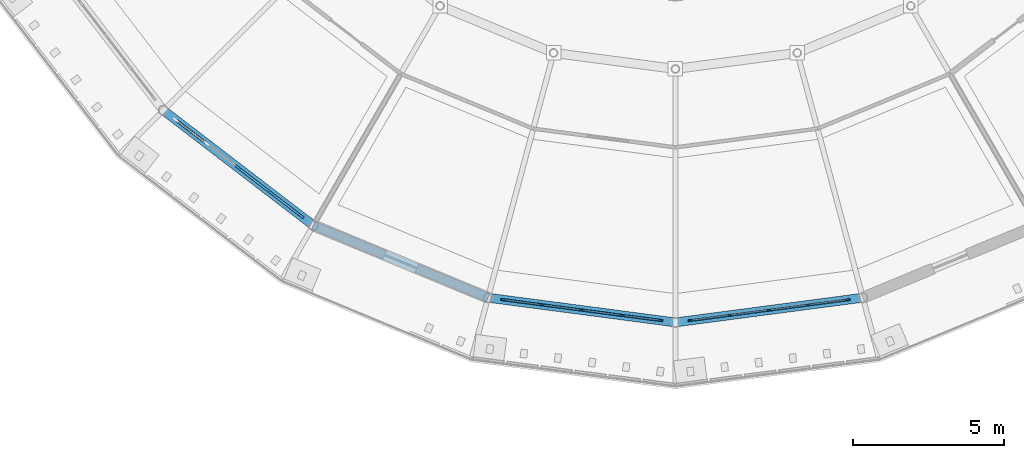
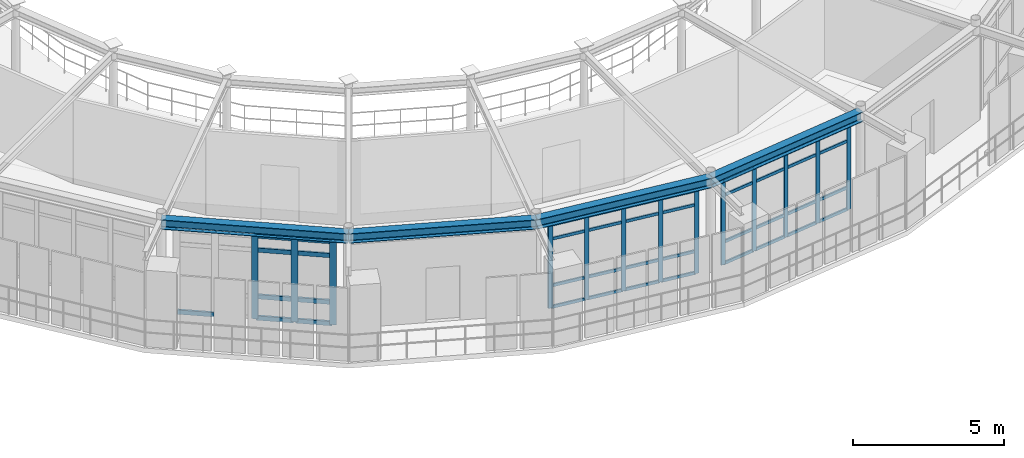
# One storey, part 22 of 70: 54 members, 4 beams, 3 elements without a shape of their own.
"""IFC4 building model written with IfcOpenShell, lengths in metres."""

from ifc_helpers import new_model, si_unit, derived_unit, direction, frame, origin, origin_2d, place, context, subcontext, project, spatial, rectangle, i_section, extrude, material, layer, layer_set, material_profile, profile_set, type_object, element, aggregate, save


model = new_model("IFC4")

# Units and contexts
model_context = context("Model", 3, precision=1e-05, world=origin(), true_north=direction((0.0, 1.0)))
body_context = subcontext(model_context, "Body", "Model", "MODEL_VIEW")
ifc_project = project(units=[si_unit("LENGTHUNIT", "METRE"), si_unit("AREAUNIT", "SQUARE_METRE"), si_unit("VOLUMEUNIT", "CUBIC_METRE"), si_unit("PLANEANGLEUNIT", "RADIAN"), si_unit("MASSUNIT", "GRAM", prefix="KILO"), derived_unit("THERMALTRANSMITTANCEUNIT", [(si_unit("POWERUNIT", "WATT"), 1), (si_unit("AREAUNIT", "SQUARE_METRE"), -1), (si_unit("THERMODYNAMICTEMPERATUREUNIT", "KELVIN"), -1)])], contexts=[model_context])

# Site, building, storey
site_placement = place(None, origin())
site = spatial("IfcSite", under=ifc_project, at=site_placement, CompositionType="ELEMENT")
building_placement = place(site_placement, origin())
building = spatial("IfcBuilding", under=site, at=building_placement, Name="Yasenodar Specialist Clinic", CompositionType="ELEMENT")
storey_placement = place(building_placement, frame((0.0, 0.0, 13.199951171875)))
storey = spatial("IfcBuildingStorey", under=building, at=storey_placement, Name="L03", CompositionType="ELEMENT", Elevation=13.199951171875)

# Beams
ifc_material_1 = material(Name="Steel S355", Category="steel")
ifc_material_profile_1 = material_profile(ifc_material_1, i_section(OverallWidth=0.300048828125, OverallDepth=0.389892578125, WebThickness=0.010986328125, FlangeThickness=0.01904296875, FilletRadius=0.027099609375, at=origin_2d()), Name="HEA 400")
ifc_profile_set_1 = profile_set([ifc_material_profile_1], Name="Steel S355")
beam_type = type_object("IfcBeamType", Name="BM-HEA400", PredefinedType="BEAM", material=ifc_profile_set_1)
beam_1_placement = place(storey_placement, frame((64.029296875, 41.829345703125, 3.60498046875), z_axis=(0.793367971845, -0.608742360322, 0.0), x_axis=(0.608742360322, 0.793367971845, 0.0)))
element("IfcBeam", 1, at=beam_1_placement, inside=storey, type_object=beam_type, Name="L03 Drum V1 Perimeter Ring Beam", PredefinedType="BEAM", context=body_context, shape_type="SweptSolid", body=[
    extrude(i_section(OverallWidth=0.300048828125, OverallDepth=0.389892578125, WebThickness=0.010986328125, FlangeThickness=0.01904296875, FilletRadius=0.027099609375, at=origin_2d()), origin(), (0.0, 0.0, 1.0), 6.265380859375),
])
beam_2_placement = place(storey_placement, frame((69.0, 38.015380859375, 3.60498046875), z_axis=(0.9238876519, -0.382663829839, 0.0), x_axis=(0.382663829839, 0.9238876519, 0.0)))
element("IfcBeam", 2, at=beam_2_placement, inside=storey, type_object=beam_type, Name="L03 Drum V1 Perimeter Ring Beam", PredefinedType="BEAM", context=body_context, shape_type="SweptSolid", body=[
    extrude(i_section(OverallWidth=0.300048828125, OverallDepth=0.389892578125, WebThickness=0.010986328125, FlangeThickness=0.01904296875, FilletRadius=0.027099609375, at=origin_2d()), origin(), (0.0, 0.0, 1.0), 6.26513671875),
])
for number, where, z_axis, x_axis, name in (
    (3, (74.788330078125, 35.617919921875, 3.60498046875), (0.991443018138, -0.130540192224, 0.0), (0.130540192224, 0.991443018138, 0.0), "L03 Drum V1 Perimeter Ring Beam"),
    (4, (81.0, 34.800048828125, 3.60498046875), (0.991443018138, 0.130540192224, 0.0), (-0.130540192224, 0.991443018138, 0.0), "L03 Drum V1 Perimeter Ring Beam"),
):
    element("IfcBeam", number, at=place(storey_placement, frame(where, z_axis=z_axis, x_axis=x_axis)), inside=storey, type_object=beam_type, Name=name, PredefinedType="BEAM", context=body_context, shape_type="SweptSolid", body=[
        extrude(i_section(OverallWidth=0.300048828125, OverallDepth=0.389892578125, WebThickness=0.010986328125, FlangeThickness=0.01904296875, FilletRadius=0.027099609375, at=origin_2d()), origin(), (0.0, 0.0, 1.0), 6.265380859375),
    ])

# Curtain wall, members
ifc_material_2 = material(Name="Bronze Anodized Aluminium and Triple Low-E Glass", Category="aluminium")
ifc_layer = layer(ifc_material_2, 0.1669921875)
ifc_layer_set = layer_set([ifc_layer], Name="Bronze Anodized Aluminium and Triple Low-E Glass")
curtain_wall_type = type_object("IfcCurtainWallType", Name="CW-SYS-01", PredefinedType="USERDEFINED", material=ifc_layer_set)
curtain_wall_1_placement = place(storey_placement, origin())
curtain_wall_1 = element("IfcCurtainWall", 5, at=curtain_wall_1_placement, inside=storey, type_object=curtain_wall_type, Name="L03 Unitised Curtain Wall 051", ObjectType="UNITISED CURTAIN WALL", PredefinedType="USERDEFINED")
ifc_material_3 = material(Name="Bronze Anodized Aluminium", Category="aluminium")
ifc_material_profile_2 = material_profile(ifc_material_3, rectangle(XDim=0.06005859375, YDim=0.159912109375, at=origin_2d()), Name="CW-MULL 60x160")
ifc_profile_set_2 = profile_set([ifc_material_profile_2], Name="Bronze Anodized Aluminium")
member_type_1 = type_object("IfcMemberType", Name="CW-MULL-160", PredefinedType="MULLION", material=ifc_profile_set_2)
member_1_placement = place(storey_placement, frame((80.494384765625, 34.86669921875, 0.0), z_axis=(0.0, 0.0, 1.0), x_axis=(-0.13051156024, -0.991446787601, 0.0)))
member_1 = element("IfcMember", 6, at=member_1_placement, type_object=member_type_1, Name="CW-01 mullion 1", PredefinedType="MULLION", context=body_context, shape_type="SweptSolid", body=[
    extrude(rectangle(XDim=0.06005859375, YDim=0.159912109375, at=origin_2d()), origin(), (0.0, 0.0, 1.0), 3.387939453125),
])
member_2_placement = place(storey_placement, frame((79.209228515625, 35.035888671875, 0.0), z_axis=(0.0, 0.0, 1.0), x_axis=(-0.13051156024, -0.991446787601, 0.0)))
member_2 = element("IfcMember", 7, at=member_2_placement, type_object=member_type_1, Name="CW-01 mullion 2", PredefinedType="MULLION", context=body_context, shape_type="SweptSolid", body=[
    extrude(rectangle(XDim=0.06005859375, YDim=0.159912109375, at=origin_2d()), origin(), (0.0, 0.0, 1.0), 3.387939453125),
])
member_3_placement = place(storey_placement, frame((77.89404296875, 35.208984375, 0.0), z_axis=(0.0, 0.0, 1.0), x_axis=(-0.13051156024, -0.991446787601, 0.0)))
member_3 = element("IfcMember", 8, at=member_3_placement, type_object=member_type_1, Name="CW-01 mullion 3", PredefinedType="MULLION", context=body_context, shape_type="SweptSolid", body=[
    extrude(rectangle(XDim=0.06005859375, YDim=0.159912109375, at=origin_2d()), origin(), (0.0, 0.0, 1.0), 3.387939453125),
])
member_4_placement = place(storey_placement, frame((76.5791015625, 35.382080078125, 0.0), z_axis=(0.0, 0.0, 1.0), x_axis=(-0.13051156024, -0.991446787601, 0.0)))
member_4 = element("IfcMember", 9, at=member_4_placement, type_object=member_type_1, Name="CW-01 mullion 4", PredefinedType="MULLION", context=body_context, shape_type="SweptSolid", body=[
    extrude(rectangle(XDim=0.06005859375, YDim=0.159912109375, at=origin_2d()), origin(), (0.0, 0.0, 1.0), 3.387939453125),
])
member_5_placement = place(storey_placement, frame((75.2939453125, 35.55126953125, 0.0), z_axis=(0.0, 0.0, 1.0), x_axis=(-0.13051156024, -0.991446787601, 0.0)))
member_5 = element("IfcMember", 10, at=member_5_placement, type_object=member_type_1, Name="CW-01 mullion 5", PredefinedType="MULLION", context=body_context, shape_type="SweptSolid", body=[
    extrude(rectangle(XDim=0.06005859375, YDim=0.159912109375, at=origin_2d()), origin(), (0.0, 0.0, 1.0), 3.387939453125),
])

curtain_wall_2_placement = place(storey_placement, origin())
curtain_wall_2 = element("IfcCurtainWall", 11, at=curtain_wall_2_placement, inside=storey, type_object=curtain_wall_type, Name="L03 Unitised Curtain Wall 052", ObjectType="UNITISED CURTAIN WALL", PredefinedType="USERDEFINED")
member_6_placement = place(storey_placement, frame((86.7060546875, 35.55126953125, 0.0), z_axis=(0.0, 0.0, 1.0), x_axis=(0.13051156024, -0.991446787601, 0.0)))
member_6 = element("IfcMember", 12, at=member_6_placement, type_object=member_type_1, Name="CW-01 mullion 1", PredefinedType="MULLION", context=body_context, shape_type="SweptSolid", body=[
    extrude(rectangle(XDim=0.06005859375, YDim=0.159912109375, at=origin_2d()), origin(), (0.0, 0.0, 1.0), 3.387939453125),
])
member_7_placement = place(storey_placement, frame((85.4208984375, 35.382080078125, 0.0), z_axis=(0.0, 0.0, 1.0), x_axis=(0.13051156024, -0.991446787601, 0.0)))
member_7 = element("IfcMember", 13, at=member_7_placement, type_object=member_type_1, Name="CW-01 mullion 2", PredefinedType="MULLION", context=body_context, shape_type="SweptSolid", body=[
    extrude(rectangle(XDim=0.06005859375, YDim=0.159912109375, at=origin_2d()), origin(), (0.0, 0.0, 1.0), 3.387939453125),
])
member_8_placement = place(storey_placement, frame((84.10595703125, 35.208984375, 0.0), z_axis=(0.0, 0.0, 1.0), x_axis=(0.13051156024, -0.991446787601, 0.0)))
member_8 = element("IfcMember", 14, at=member_8_placement, type_object=member_type_1, Name="CW-01 mullion 3", PredefinedType="MULLION", context=body_context, shape_type="SweptSolid", body=[
    extrude(rectangle(XDim=0.06005859375, YDim=0.159912109375, at=origin_2d()), origin(), (0.0, 0.0, 1.0), 3.387939453125),
])
member_9_placement = place(storey_placement, frame((82.790771484375, 35.035888671875, 0.0), z_axis=(0.0, 0.0, 1.0), x_axis=(0.13051156024, -0.991446787601, 0.0)))
member_9 = element("IfcMember", 15, at=member_9_placement, type_object=member_type_1, Name="CW-01 mullion 4", PredefinedType="MULLION", context=body_context, shape_type="SweptSolid", body=[
    extrude(rectangle(XDim=0.06005859375, YDim=0.159912109375, at=origin_2d()), origin(), (0.0, 0.0, 1.0), 3.387939453125),
])
member_10_placement = place(storey_placement, frame((81.505615234375, 34.86669921875, 0.0), z_axis=(0.0, 0.0, 1.0), x_axis=(0.13051156024, -0.991446787601, 0.0)))
member_10 = element("IfcMember", 16, at=member_10_placement, type_object=member_type_1, Name="CW-01 mullion 5", PredefinedType="MULLION", context=body_context, shape_type="SweptSolid", body=[
    extrude(rectangle(XDim=0.06005859375, YDim=0.159912109375, at=origin_2d()), origin(), (0.0, 0.0, 1.0), 3.387939453125),
])

curtain_wall_3_placement = place(storey_placement, origin())
curtain_wall_3 = element("IfcCurtainWall", 17, at=curtain_wall_3_placement, inside=storey, type_object=curtain_wall_type, Name="L03 Unitised Curtain Wall 050", ObjectType="UNITISED CURTAIN WALL", PredefinedType="USERDEFINED")
ifc_material_profile_3 = material_profile(ifc_material_3, rectangle(XDim=0.074951171875, YDim=0.22509765625, at=origin_2d()), Name="CW-MULL 75x225")
ifc_profile_set_3 = profile_set([ifc_material_profile_3], Name="Bronze Anodized Aluminium")
member_type_2 = type_object("IfcMemberType", Name="CW-MULL-225", PredefinedType="MULLION", material=ifc_profile_set_3)
member_11_placement = place(storey_placement, frame((68.58935546875, 38.330322265625, 0.0), z_axis=(0.0, 0.0, 1.0), x_axis=(-0.608752021844, -0.793360558574, 0.0)))
member_11 = element("IfcMember", 18, at=member_11_placement, type_object=member_type_2, Name="CW-01 mullion 1", PredefinedType="MULLION", context=body_context, shape_type="SweptSolid", body=[
    extrude(rectangle(XDim=0.074951171875, YDim=0.22509765625, at=origin_2d()), origin(), (0.0, 0.0, 1.0), 3.387939453125),
])
member_12_placement = place(storey_placement, frame((67.56689453125, 39.114990234375, 0.0), z_axis=(0.0, 0.0, 1.0), x_axis=(-0.608752021844, -0.793360558574, 0.0)))
member_12 = element("IfcMember", 19, at=member_12_placement, type_object=member_type_2, Name="CW-01 mullion 2", PredefinedType="MULLION", context=body_context, shape_type="SweptSolid", body=[
    extrude(rectangle(XDim=0.074951171875, YDim=0.22509765625, at=origin_2d()), origin(), (0.0, 0.0, 1.0), 3.387939453125),
])
member_13_placement = place(storey_placement, frame((66.5146484375, 39.92236328125, 0.0), z_axis=(0.0, 0.0, 1.0), x_axis=(-0.608752021844, -0.793360558574, 0.0)))
member_13 = element("IfcMember", 20, at=member_13_placement, type_object=member_type_2, Name="CW-01 mullion 3", PredefinedType="MULLION", context=body_context, shape_type="SweptSolid", body=[
    extrude(rectangle(XDim=0.074951171875, YDim=0.22509765625, at=origin_2d()), origin(), (0.0, 0.0, 1.0), 3.387939453125),
])

# Member
ifc_material_profile_4 = material_profile(ifc_material_3, rectangle(XDim=0.06005859375, YDim=0.1201171875, at=origin_2d()), Name="CW-TRAN 60x120")
ifc_profile_set_4 = profile_set([ifc_material_profile_4], Name="Bronze Anodized Aluminium")
member_type_3 = type_object("IfcMemberType", Name="CW-TRAN-120", PredefinedType="USERDEFINED", material=ifc_profile_set_4)
member_14_placement = place(storey_placement, frame((80.464599609375, 34.87060546875, 0.030029296875), z_axis=(-0.99144555616, 0.130520914683, 0.0), x_axis=(-0.130520914683, -0.99144555616, 0.0)))
member_14 = element("IfcMember", 21, at=member_14_placement, type_object=member_type_3, Name="CW-01 transom 1.1", ObjectType="TRANSOM", PredefinedType="USERDEFINED", context=body_context, shape_type="SweptSolid", body=[
    extrude(rectangle(XDim=0.06005859375, YDim=0.1201171875, at=origin_2d()), origin(), (0.0, 0.0, 1.0), 1.236328125),
])

member_15_placement = place(storey_placement, frame((80.464599609375, 34.87060546875, 0.900146484375), z_axis=(-0.99144555616, 0.130520914683, 0.0), x_axis=(-0.130520914683, -0.99144555616, 0.0)))
member_15 = element("IfcMember", 22, at=member_15_placement, type_object=member_type_3, Name="CW-01 transom 1.2", ObjectType="TRANSOM", PredefinedType="USERDEFINED", context=body_context, shape_type="SweptSolid", body=[
    extrude(rectangle(XDim=0.06005859375, YDim=0.1201171875, at=origin_2d()), origin(), (0.0, 0.0, 1.0), 1.236328125),
])

member_16_placement = place(storey_placement, frame((80.464599609375, 34.87060546875, 2.7880859375), z_axis=(-0.99144555616, 0.130520914683, 0.0), x_axis=(-0.130520914683, -0.99144555616, 0.0)))
member_16 = element("IfcMember", 23, at=member_16_placement, type_object=member_type_3, Name="CW-01 transom 1.3", ObjectType="TRANSOM", PredefinedType="USERDEFINED", context=body_context, shape_type="SweptSolid", body=[
    extrude(rectangle(XDim=0.06005859375, YDim=0.1201171875, at=origin_2d()), origin(), (0.0, 0.0, 1.0), 1.236328125),
])

member_17_placement = place(storey_placement, frame((80.464599609375, 34.87060546875, 3.358154296875), z_axis=(-0.99144555616, 0.130520914683, 0.0), x_axis=(-0.130520914683, -0.99144555616, 0.0)))
member_17 = element("IfcMember", 24, at=member_17_placement, type_object=member_type_3, Name="CW-01 transom 1.4", ObjectType="TRANSOM", PredefinedType="USERDEFINED", context=body_context, shape_type="SweptSolid", body=[
    extrude(rectangle(XDim=0.06005859375, YDim=0.1201171875, at=origin_2d()), origin(), (0.0, 0.0, 1.0), 1.236328125),
])

member_18_placement = place(storey_placement, frame((79.179443359375, 35.039794921875, 0.030029296875), z_axis=(-0.991447076407, 0.13050936627, 0.0), x_axis=(-0.13050936627, -0.991447076407, 0.0)))
member_18 = element("IfcMember", 25, at=member_18_placement, type_object=member_type_3, Name="CW-01 transom 2.1", ObjectType="TRANSOM", PredefinedType="USERDEFINED", context=body_context, shape_type="SweptSolid", body=[
    extrude(rectangle(XDim=0.06005859375, YDim=0.1201171875, at=origin_2d()), origin(), (0.0, 0.0, 1.0), 1.266357421875),
])

member_19_placement = place(storey_placement, frame((79.179443359375, 35.039794921875, 0.900146484375), z_axis=(-0.991447076407, 0.13050936627, 0.0), x_axis=(-0.13050936627, -0.991447076407, 0.0)))
member_19 = element("IfcMember", 26, at=member_19_placement, type_object=member_type_3, Name="CW-01 transom 2.2", ObjectType="TRANSOM", PredefinedType="USERDEFINED", context=body_context, shape_type="SweptSolid", body=[
    extrude(rectangle(XDim=0.06005859375, YDim=0.1201171875, at=origin_2d()), origin(), (0.0, 0.0, 1.0), 1.266357421875),
])

member_20_placement = place(storey_placement, frame((79.179443359375, 35.039794921875, 2.7880859375), z_axis=(-0.991447076407, 0.13050936627, 0.0), x_axis=(-0.13050936627, -0.991447076407, 0.0)))
member_20 = element("IfcMember", 27, at=member_20_placement, type_object=member_type_3, Name="CW-01 transom 2.3", ObjectType="TRANSOM", PredefinedType="USERDEFINED", context=body_context, shape_type="SweptSolid", body=[
    extrude(rectangle(XDim=0.06005859375, YDim=0.1201171875, at=origin_2d()), origin(), (0.0, 0.0, 1.0), 1.266357421875),
])

member_21_placement = place(storey_placement, frame((79.179443359375, 35.039794921875, 3.358154296875), z_axis=(-0.991447076407, 0.13050936627, 0.0), x_axis=(-0.13050936627, -0.991447076407, 0.0)))
member_21 = element("IfcMember", 28, at=member_21_placement, type_object=member_type_3, Name="CW-01 transom 2.4", ObjectType="TRANSOM", PredefinedType="USERDEFINED", context=body_context, shape_type="SweptSolid", body=[
    extrude(rectangle(XDim=0.06005859375, YDim=0.1201171875, at=origin_2d()), origin(), (0.0, 0.0, 1.0), 1.266357421875),
])

member_22_placement = place(storey_placement, frame((77.864501953125, 35.212890625, 0.030029296875), z_axis=(-0.991447076407, 0.13050936627, 0.0), x_axis=(-0.13050936627, -0.991447076407, 0.0)))
member_22 = element("IfcMember", 29, at=member_22_placement, type_object=member_type_3, Name="CW-01 transom 3.1", ObjectType="TRANSOM", PredefinedType="USERDEFINED", context=body_context, shape_type="SweptSolid", body=[
    extrude(rectangle(XDim=0.06005859375, YDim=0.1201171875, at=origin_2d()), origin(), (0.0, 0.0, 1.0), 1.266357421875),
])

member_23_placement = place(storey_placement, frame((77.864501953125, 35.212890625, 0.900146484375), z_axis=(-0.991447076407, 0.13050936627, 0.0), x_axis=(-0.13050936627, -0.991447076407, 0.0)))
member_23 = element("IfcMember", 30, at=member_23_placement, type_object=member_type_3, Name="CW-01 transom 3.2", ObjectType="TRANSOM", PredefinedType="USERDEFINED", context=body_context, shape_type="SweptSolid", body=[
    extrude(rectangle(XDim=0.06005859375, YDim=0.1201171875, at=origin_2d()), origin(), (0.0, 0.0, 1.0), 1.266357421875),
])

member_24_placement = place(storey_placement, frame((77.864501953125, 35.212890625, 2.7880859375), z_axis=(-0.991447076407, 0.13050936627, 0.0), x_axis=(-0.13050936627, -0.991447076407, 0.0)))
member_24 = element("IfcMember", 31, at=member_24_placement, type_object=member_type_3, Name="CW-01 transom 3.3", ObjectType="TRANSOM", PredefinedType="USERDEFINED", context=body_context, shape_type="SweptSolid", body=[
    extrude(rectangle(XDim=0.06005859375, YDim=0.1201171875, at=origin_2d()), origin(), (0.0, 0.0, 1.0), 1.266357421875),
])

member_25_placement = place(storey_placement, frame((77.864501953125, 35.212890625, 3.358154296875), z_axis=(-0.991447076407, 0.13050936627, 0.0), x_axis=(-0.13050936627, -0.991447076407, 0.0)))
member_25 = element("IfcMember", 32, at=member_25_placement, type_object=member_type_3, Name="CW-01 transom 3.4", ObjectType="TRANSOM", PredefinedType="USERDEFINED", context=body_context, shape_type="SweptSolid", body=[
    extrude(rectangle(XDim=0.06005859375, YDim=0.1201171875, at=origin_2d()), origin(), (0.0, 0.0, 1.0), 1.266357421875),
])

member_26_placement = place(storey_placement, frame((76.54931640625, 35.385986328125, 0.030029296875), z_axis=(-0.991442191305, 0.130546471803, 0.0), x_axis=(-0.130546471803, -0.991442191305, 0.0)))
member_26 = element("IfcMember", 33, at=member_26_placement, type_object=member_type_3, Name="CW-01 transom 4.1", ObjectType="TRANSOM", PredefinedType="USERDEFINED", context=body_context, shape_type="SweptSolid", body=[
    extrude(rectangle(XDim=0.06005859375, YDim=0.1201171875, at=origin_2d()), origin(), (0.0, 0.0, 1.0), 1.236083984375),
])

member_27_placement = place(storey_placement, frame((76.54931640625, 35.385986328125, 0.900146484375), z_axis=(-0.991442191305, 0.130546471803, 0.0), x_axis=(-0.130546471803, -0.991442191305, 0.0)))
member_27 = element("IfcMember", 34, at=member_27_placement, type_object=member_type_3, Name="CW-01 transom 4.2", ObjectType="TRANSOM", PredefinedType="USERDEFINED", context=body_context, shape_type="SweptSolid", body=[
    extrude(rectangle(XDim=0.06005859375, YDim=0.1201171875, at=origin_2d()), origin(), (0.0, 0.0, 1.0), 1.236083984375),
])

member_28_placement = place(storey_placement, frame((76.54931640625, 35.385986328125, 2.7880859375), z_axis=(-0.991442191305, 0.130546471803, 0.0), x_axis=(-0.130546471803, -0.991442191305, 0.0)))
member_28 = element("IfcMember", 35, at=member_28_placement, type_object=member_type_3, Name="CW-01 transom 4.3", ObjectType="TRANSOM", PredefinedType="USERDEFINED", context=body_context, shape_type="SweptSolid", body=[
    extrude(rectangle(XDim=0.06005859375, YDim=0.1201171875, at=origin_2d()), origin(), (0.0, 0.0, 1.0), 1.236083984375),
])

member_29_placement = place(storey_placement, frame((76.54931640625, 35.385986328125, 3.358154296875), z_axis=(-0.991442191305, 0.130546471803, 0.0), x_axis=(-0.130546471803, -0.991442191305, 0.0)))
member_29 = element("IfcMember", 36, at=member_29_placement, type_object=member_type_3, Name="CW-01 transom 4.4", ObjectType="TRANSOM", PredefinedType="USERDEFINED", context=body_context, shape_type="SweptSolid", body=[
    extrude(rectangle(XDim=0.06005859375, YDim=0.1201171875, at=origin_2d()), origin(), (0.0, 0.0, 1.0), 1.236083984375),
])

aggregate(curtain_wall_1, [member_1, member_2, member_3, member_4, member_5, member_14, member_15, member_16, member_17, member_18, member_19, member_20, member_21, member_22, member_23, member_24, member_25, member_26, member_27, member_28, member_29])

member_30_placement = place(storey_placement, frame((86.67626953125, 35.54736328125, 0.030029296875), z_axis=(-0.991442191305, -0.130546471803, 0.0), x_axis=(0.130546471803, -0.991442191305, 0.0)))
member_30 = element("IfcMember", 37, at=member_30_placement, type_object=member_type_3, Name="CW-01 transom 1.1", ObjectType="TRANSOM", PredefinedType="USERDEFINED", context=body_context, shape_type="SweptSolid", body=[
    extrude(rectangle(XDim=0.06005859375, YDim=0.1201171875, at=origin_2d()), origin(), (0.0, 0.0, 1.0), 1.236083984375),
])

member_31_placement = place(storey_placement, frame((86.67626953125, 35.54736328125, 0.900146484375), z_axis=(-0.991442191305, -0.130546471803, 0.0), x_axis=(0.130546471803, -0.991442191305, 0.0)))
member_31 = element("IfcMember", 38, at=member_31_placement, type_object=member_type_3, Name="CW-01 transom 1.2", ObjectType="TRANSOM", PredefinedType="USERDEFINED", context=body_context, shape_type="SweptSolid", body=[
    extrude(rectangle(XDim=0.06005859375, YDim=0.1201171875, at=origin_2d()), origin(), (0.0, 0.0, 1.0), 1.236083984375),
])

member_32_placement = place(storey_placement, frame((86.67626953125, 35.54736328125, 2.7880859375), z_axis=(-0.991442191305, -0.130546471803, 0.0), x_axis=(0.130546471803, -0.991442191305, 0.0)))
member_32 = element("IfcMember", 39, at=member_32_placement, type_object=member_type_3, Name="CW-01 transom 1.3", ObjectType="TRANSOM", PredefinedType="USERDEFINED", context=body_context, shape_type="SweptSolid", body=[
    extrude(rectangle(XDim=0.06005859375, YDim=0.1201171875, at=origin_2d()), origin(), (0.0, 0.0, 1.0), 1.236083984375),
])

member_33_placement = place(storey_placement, frame((86.67626953125, 35.54736328125, 3.358154296875), z_axis=(-0.991442191305, -0.130546471803, 0.0), x_axis=(0.130546471803, -0.991442191305, 0.0)))
member_33 = element("IfcMember", 40, at=member_33_placement, type_object=member_type_3, Name="CW-01 transom 1.4", ObjectType="TRANSOM", PredefinedType="USERDEFINED", context=body_context, shape_type="SweptSolid", body=[
    extrude(rectangle(XDim=0.06005859375, YDim=0.1201171875, at=origin_2d()), origin(), (0.0, 0.0, 1.0), 1.236083984375),
])

member_34_placement = place(storey_placement, frame((85.39111328125, 35.378173828125, 0.030029296875), z_axis=(-0.991447076407, -0.13050936627, 0.0), x_axis=(0.13050936627, -0.991447076407, 0.0)))
member_34 = element("IfcMember", 41, at=member_34_placement, type_object=member_type_3, Name="CW-01 transom 2.1", ObjectType="TRANSOM", PredefinedType="USERDEFINED", context=body_context, shape_type="SweptSolid", body=[
    extrude(rectangle(XDim=0.06005859375, YDim=0.1201171875, at=origin_2d()), origin(), (0.0, 0.0, 1.0), 1.266357421875),
])

member_35_placement = place(storey_placement, frame((85.39111328125, 35.378173828125, 0.900146484375), z_axis=(-0.991447076407, -0.13050936627, 0.0), x_axis=(0.13050936627, -0.991447076407, 0.0)))
member_35 = element("IfcMember", 42, at=member_35_placement, type_object=member_type_3, Name="CW-01 transom 2.2", ObjectType="TRANSOM", PredefinedType="USERDEFINED", context=body_context, shape_type="SweptSolid", body=[
    extrude(rectangle(XDim=0.06005859375, YDim=0.1201171875, at=origin_2d()), origin(), (0.0, 0.0, 1.0), 1.266357421875),
])

member_36_placement = place(storey_placement, frame((85.39111328125, 35.378173828125, 2.7880859375), z_axis=(-0.991447076407, -0.13050936627, 0.0), x_axis=(0.13050936627, -0.991447076407, 0.0)))
member_36 = element("IfcMember", 43, at=member_36_placement, type_object=member_type_3, Name="CW-01 transom 2.3", ObjectType="TRANSOM", PredefinedType="USERDEFINED", context=body_context, shape_type="SweptSolid", body=[
    extrude(rectangle(XDim=0.06005859375, YDim=0.1201171875, at=origin_2d()), origin(), (0.0, 0.0, 1.0), 1.266357421875),
])

member_37_placement = place(storey_placement, frame((85.39111328125, 35.378173828125, 3.358154296875), z_axis=(-0.991447076407, -0.13050936627, 0.0), x_axis=(0.13050936627, -0.991447076407, 0.0)))
member_37 = element("IfcMember", 44, at=member_37_placement, type_object=member_type_3, Name="CW-01 transom 2.4", ObjectType="TRANSOM", PredefinedType="USERDEFINED", context=body_context, shape_type="SweptSolid", body=[
    extrude(rectangle(XDim=0.06005859375, YDim=0.1201171875, at=origin_2d()), origin(), (0.0, 0.0, 1.0), 1.266357421875),
])

member_38_placement = place(storey_placement, frame((84.076171875, 35.205078125, 0.030029296875), z_axis=(-0.991447076407, -0.13050936627, 0.0), x_axis=(0.13050936627, -0.991447076407, 0.0)))
member_38 = element("IfcMember", 45, at=member_38_placement, type_object=member_type_3, Name="CW-01 transom 3.1", ObjectType="TRANSOM", PredefinedType="USERDEFINED", context=body_context, shape_type="SweptSolid", body=[
    extrude(rectangle(XDim=0.06005859375, YDim=0.1201171875, at=origin_2d()), origin(), (0.0, 0.0, 1.0), 1.266357421875),
])

member_39_placement = place(storey_placement, frame((84.076171875, 35.205078125, 0.900146484375), z_axis=(-0.991447076407, -0.13050936627, 0.0), x_axis=(0.13050936627, -0.991447076407, 0.0)))
member_39 = element("IfcMember", 46, at=member_39_placement, type_object=member_type_3, Name="CW-01 transom 3.2", ObjectType="TRANSOM", PredefinedType="USERDEFINED", context=body_context, shape_type="SweptSolid", body=[
    extrude(rectangle(XDim=0.06005859375, YDim=0.1201171875, at=origin_2d()), origin(), (0.0, 0.0, 1.0), 1.266357421875),
])

member_40_placement = place(storey_placement, frame((84.076171875, 35.205078125, 2.7880859375), z_axis=(-0.991447076407, -0.13050936627, 0.0), x_axis=(0.13050936627, -0.991447076407, 0.0)))
member_40 = element("IfcMember", 47, at=member_40_placement, type_object=member_type_3, Name="CW-01 transom 3.3", ObjectType="TRANSOM", PredefinedType="USERDEFINED", context=body_context, shape_type="SweptSolid", body=[
    extrude(rectangle(XDim=0.06005859375, YDim=0.1201171875, at=origin_2d()), origin(), (0.0, 0.0, 1.0), 1.266357421875),
])

member_41_placement = place(storey_placement, frame((84.076171875, 35.205078125, 3.358154296875), z_axis=(-0.991447076407, -0.13050936627, 0.0), x_axis=(0.13050936627, -0.991447076407, 0.0)))
member_41 = element("IfcMember", 48, at=member_41_placement, type_object=member_type_3, Name="CW-01 transom 3.4", ObjectType="TRANSOM", PredefinedType="USERDEFINED", context=body_context, shape_type="SweptSolid", body=[
    extrude(rectangle(XDim=0.06005859375, YDim=0.1201171875, at=origin_2d()), origin(), (0.0, 0.0, 1.0), 1.266357421875),
])

member_42_placement = place(storey_placement, frame((82.76123046875, 35.031982421875, 0.030029296875), z_axis=(-0.99144555616, -0.130520914683, 0.0), x_axis=(0.130520914683, -0.99144555616, 0.0)))
member_42 = element("IfcMember", 49, at=member_42_placement, type_object=member_type_3, Name="CW-01 transom 4.1", ObjectType="TRANSOM", PredefinedType="USERDEFINED", context=body_context, shape_type="SweptSolid", body=[
    extrude(rectangle(XDim=0.06005859375, YDim=0.1201171875, at=origin_2d()), origin(), (0.0, 0.0, 1.0), 1.236328125),
])

member_43_placement = place(storey_placement, frame((82.76123046875, 35.031982421875, 0.900146484375), z_axis=(-0.99144555616, -0.130520914683, 0.0), x_axis=(0.130520914683, -0.99144555616, 0.0)))
member_43 = element("IfcMember", 50, at=member_43_placement, type_object=member_type_3, Name="CW-01 transom 4.2", ObjectType="TRANSOM", PredefinedType="USERDEFINED", context=body_context, shape_type="SweptSolid", body=[
    extrude(rectangle(XDim=0.06005859375, YDim=0.1201171875, at=origin_2d()), origin(), (0.0, 0.0, 1.0), 1.236328125),
])

member_44_placement = place(storey_placement, frame((82.76123046875, 35.031982421875, 2.7880859375), z_axis=(-0.99144555616, -0.130520914683, 0.0), x_axis=(0.130520914683, -0.99144555616, 0.0)))
member_44 = element("IfcMember", 51, at=member_44_placement, type_object=member_type_3, Name="CW-01 transom 4.3", ObjectType="TRANSOM", PredefinedType="USERDEFINED", context=body_context, shape_type="SweptSolid", body=[
    extrude(rectangle(XDim=0.06005859375, YDim=0.1201171875, at=origin_2d()), origin(), (0.0, 0.0, 1.0), 1.236328125),
])

member_45_placement = place(storey_placement, frame((82.76123046875, 35.031982421875, 3.358154296875), z_axis=(-0.99144555616, -0.130520914683, 0.0), x_axis=(0.130520914683, -0.99144555616, 0.0)))
member_45 = element("IfcMember", 52, at=member_45_placement, type_object=member_type_3, Name="CW-01 transom 4.4", ObjectType="TRANSOM", PredefinedType="USERDEFINED", context=body_context, shape_type="SweptSolid", body=[
    extrude(rectangle(XDim=0.06005859375, YDim=0.1201171875, at=origin_2d()), origin(), (0.0, 0.0, 1.0), 1.236328125),
])

aggregate(curtain_wall_2, [member_6, member_7, member_8, member_9, member_10, member_30, member_31, member_32, member_33, member_34, member_35, member_36, member_37, member_38, member_39, member_40, member_41, member_42, member_43, member_44, member_45])

ifc_material_profile_5 = material_profile(ifc_material_3, rectangle(XDim=0.074951171875, YDim=0.175048828125, at=origin_2d()), Name="CW-TRAN 75x175")
ifc_profile_set_5 = profile_set([ifc_material_profile_5], Name="Bronze Anodized Aluminium")
member_type_4 = type_object("IfcMemberType", Name="CW-TRAN-175", PredefinedType="USERDEFINED", material=ifc_profile_set_5)
member_46_placement = place(storey_placement, frame((68.559814453125, 38.353271484375, 0.03759765625), z_axis=(-0.793363535343, 0.608748142328, 0.0), x_axis=(-0.608748142328, -0.793363535343, 0.0)))
member_46 = element("IfcMember", 53, at=member_46_placement, type_object=member_type_4, Name="CW-01 transom 1.1", ObjectType="TRANSOM", PredefinedType="USERDEFINED", context=body_context, shape_type="SweptSolid", body=[
    extrude(rectangle(XDim=0.074951171875, YDim=0.175048828125, at=origin_2d()), origin(), (0.0, 0.0, 1.0), 1.2138671875),
])

member_47_placement = place(storey_placement, frame((68.559814453125, 38.353271484375, 0.900146484375), z_axis=(-0.793363535343, 0.608748142328, 0.0), x_axis=(-0.608748142328, -0.793363535343, 0.0)))
member_47 = element("IfcMember", 54, at=member_47_placement, type_object=member_type_4, Name="CW-01 transom 1.2", ObjectType="TRANSOM", PredefinedType="USERDEFINED", context=body_context, shape_type="SweptSolid", body=[
    extrude(rectangle(XDim=0.074951171875, YDim=0.175048828125, at=origin_2d()), origin(), (0.0, 0.0, 1.0), 1.2138671875),
])

member_48_placement = place(storey_placement, frame((68.559814453125, 38.353271484375, 2.7880859375), z_axis=(-0.793363535343, 0.608748142328, 0.0), x_axis=(-0.608748142328, -0.793363535343, 0.0)))
member_48 = element("IfcMember", 55, at=member_48_placement, type_object=member_type_4, Name="CW-01 transom 1.3", ObjectType="TRANSOM", PredefinedType="USERDEFINED", context=body_context, shape_type="SweptSolid", body=[
    extrude(rectangle(XDim=0.074951171875, YDim=0.175048828125, at=origin_2d()), origin(), (0.0, 0.0, 1.0), 1.2138671875),
])

member_49_placement = place(storey_placement, frame((68.559814453125, 38.353271484375, 3.3505859375), z_axis=(-0.793363535343, 0.608748142328, 0.0), x_axis=(-0.608748142328, -0.793363535343, 0.0)))
member_49 = element("IfcMember", 56, at=member_49_placement, type_object=member_type_4, Name="CW-01 transom 1.4", ObjectType="TRANSOM", PredefinedType="USERDEFINED", context=body_context, shape_type="SweptSolid", body=[
    extrude(rectangle(XDim=0.074951171875, YDim=0.175048828125, at=origin_2d()), origin(), (0.0, 0.0, 1.0), 1.2138671875),
])

member_50_placement = place(storey_placement, frame((67.537109375, 39.137939453125, 0.03759765625), z_axis=(-0.79334877301, 0.608767381159, 0.0), x_axis=(-0.608767381159, -0.79334877301, 0.0)))
member_50 = element("IfcMember", 57, at=member_50_placement, type_object=member_type_4, Name="CW-01 transom 2.1", ObjectType="TRANSOM", PredefinedType="USERDEFINED", context=body_context, shape_type="SweptSolid", body=[
    extrude(rectangle(XDim=0.074951171875, YDim=0.175048828125, at=origin_2d()), origin(), (0.0, 0.0, 1.0), 1.251220703125),
])

member_51_placement = place(storey_placement, frame((67.537109375, 39.137939453125, 0.900146484375), z_axis=(-0.79334877301, 0.608767381159, 0.0), x_axis=(-0.608767381159, -0.79334877301, 0.0)))
member_51 = element("IfcMember", 58, at=member_51_placement, type_object=member_type_4, Name="CW-01 transom 2.2", ObjectType="TRANSOM", PredefinedType="USERDEFINED", context=body_context, shape_type="SweptSolid", body=[
    extrude(rectangle(XDim=0.074951171875, YDim=0.175048828125, at=origin_2d()), origin(), (0.0, 0.0, 1.0), 1.251220703125),
])

member_52_placement = place(storey_placement, frame((67.537109375, 39.137939453125, 2.7880859375), z_axis=(-0.79334877301, 0.608767381159, 0.0), x_axis=(-0.608767381159, -0.79334877301, 0.0)))
member_52 = element("IfcMember", 59, at=member_52_placement, type_object=member_type_4, Name="CW-01 transom 2.3", ObjectType="TRANSOM", PredefinedType="USERDEFINED", context=body_context, shape_type="SweptSolid", body=[
    extrude(rectangle(XDim=0.074951171875, YDim=0.175048828125, at=origin_2d()), origin(), (0.0, 0.0, 1.0), 1.251220703125),
])

member_53_placement = place(storey_placement, frame((67.537109375, 39.137939453125, 3.3505859375), z_axis=(-0.79334877301, 0.608767381159, 0.0), x_axis=(-0.608767381159, -0.79334877301, 0.0)))
member_53 = element("IfcMember", 60, at=member_53_placement, type_object=member_type_4, Name="CW-01 transom 2.4", ObjectType="TRANSOM", PredefinedType="USERDEFINED", context=body_context, shape_type="SweptSolid", body=[
    extrude(rectangle(XDim=0.074951171875, YDim=0.175048828125, at=origin_2d()), origin(), (0.0, 0.0, 1.0), 1.251220703125),
])

member_54_placement = place(storey_placement, frame((65.4326171875, 40.752685546875, 0.03759765625), z_axis=(-0.793386142334, 0.60871867817, 0.0), x_axis=(-0.60871867817, -0.793386142334, 0.0)))
member_54 = element("IfcMember", 61, at=member_54_placement, type_object=member_type_4, Name="CW-01 transom 4.1", ObjectType="TRANSOM", PredefinedType="USERDEFINED", context=body_context, shape_type="SweptSolid", body=[
    extrude(rectangle(XDim=0.074951171875, YDim=0.175048828125, at=origin_2d()), origin(), (0.0, 0.0, 1.0), 1.213623046875),
])

aggregate(curtain_wall_3, [member_11, member_12, member_13, member_46, member_47, member_48, member_49, member_50, member_51, member_52, member_53, member_54])

save(model, "model.ifc")
